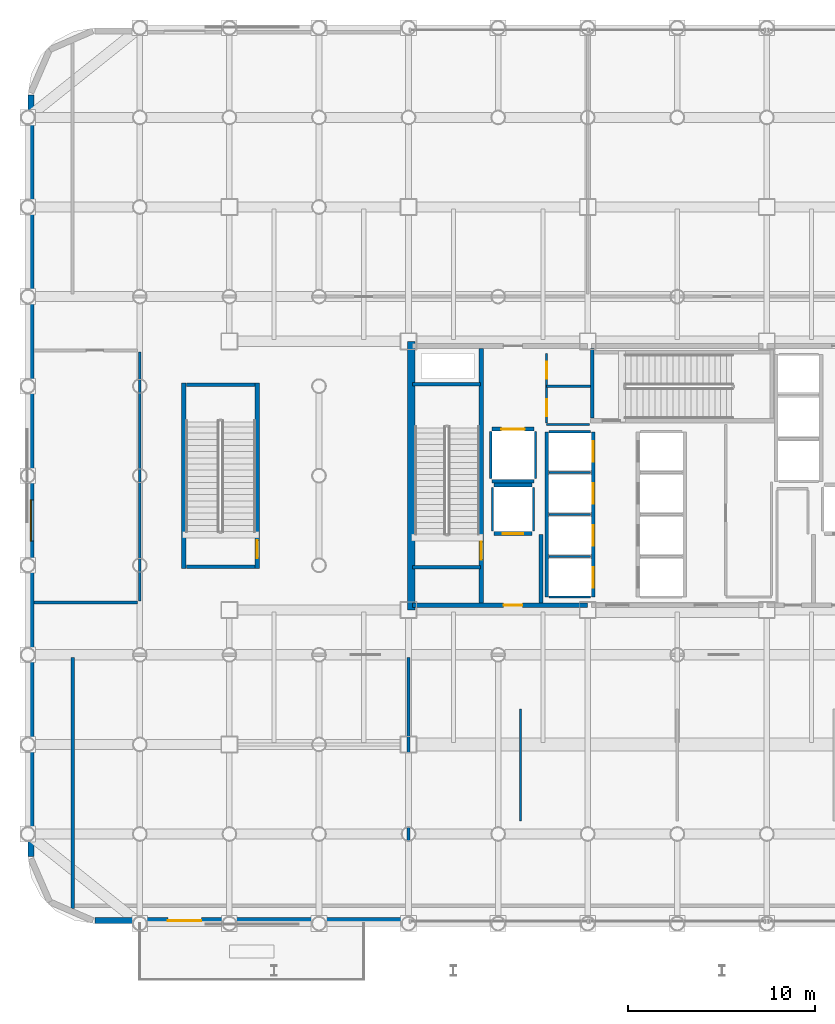
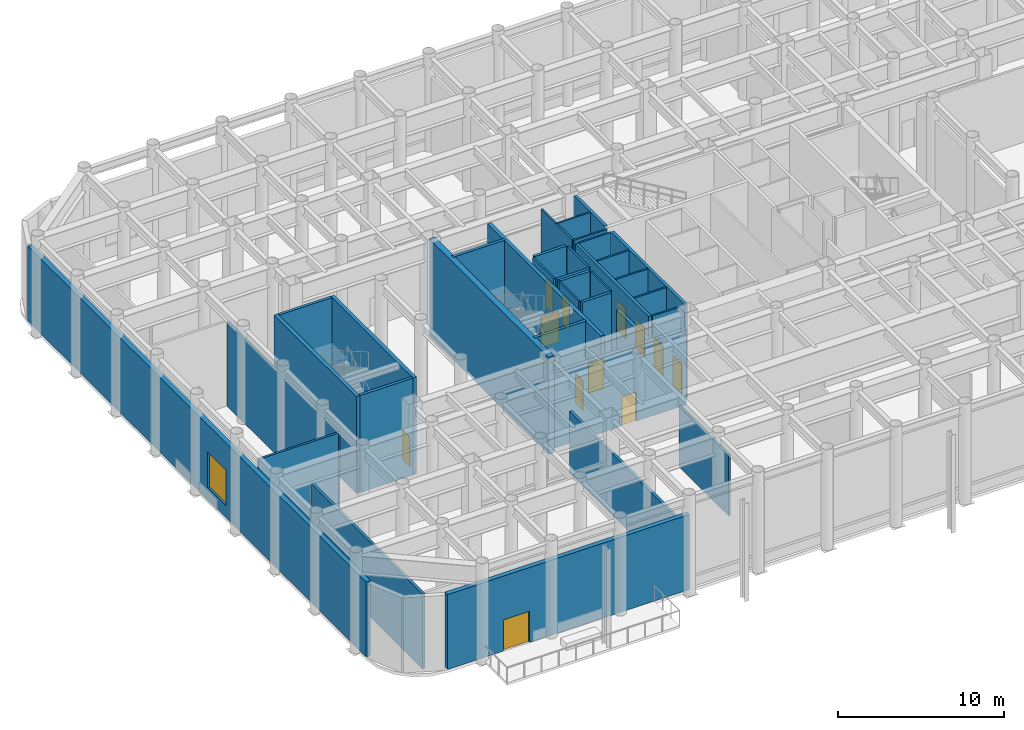
# One storey, part 14 of 23: 36 walls, 12 doors, 1 window, 13 openings.
"""IFC4 building model written with IfcOpenShell, lengths in metres."""

from ifc_helpers import new_model, si_unit, direction, frame, frame_2d, origin, place, context, subcontext, project, spatial, rectangle, extrude, material, layer, layer_set, type_object, element, fill, save


model = new_model("IFC4")

# Units and contexts
model_context = context("Model", 3, precision=1e-05, world=origin(), true_north=direction((0.0, 1.0)))
body_context = subcontext(model_context, "Body", "Model", "MODEL_VIEW")
ifc_project = project(units=[si_unit("LENGTHUNIT", "METRE"), si_unit("AREAUNIT", "SQUARE_METRE"), si_unit("VOLUMEUNIT", "CUBIC_METRE"), si_unit("PLANEANGLEUNIT", "RADIAN"), si_unit("MASSUNIT", "GRAM", prefix="KILO")], contexts=[model_context])

# Site, building, storey
site_placement = place(None, origin())
site = spatial("IfcSite", under=ifc_project, at=site_placement, CompositionType="ELEMENT")
building_placement = place(site_placement, origin())
building = spatial("IfcBuilding", under=site, at=building_placement, Name="Kallvorn Hotel Tower", CompositionType="ELEMENT")
storey_placement = place(building_placement, frame((0.0, 0.0, 12.0)))
storey = spatial("IfcBuildingStorey", under=building, at=storey_placement, Name="L02", CompositionType="ELEMENT", Elevation=12.0)

# Walls
ifc_material_1 = material(Name="Concrete C50/60", Category="concrete")
ifc_layer_1 = layer(ifc_material_1, 0.39990234375)
ifc_layer_set_1 = layer_set([ifc_layer_1], Name="WL_CORE_400")
wall_type_1 = type_object("IfcWallType", Name="WL_CORE_400", PredefinedType="SHEAR", material=ifc_layer_set_1)
wall_1_placement = place(storey_placement, frame((-14.264892578125, -7.199951171875, -0.219970703125), z_axis=(0.0, 0.0, 1.0), x_axis=(0.0, 1.0, 0.0)))
element("IfcWall", 1, at=wall_1_placement, inside=storey, type_object=wall_type_1, Name="L02 Core West Shear Wall", PredefinedType="SHEAR", context=body_context, shape_type="SweptSolid", body=[
    extrude(rectangle(XDim=14.39990234375, YDim=0.39990234375, at=frame_2d((7.199951171875, 0.0))), origin(), (0.0, 0.0, 1.0), 7.139892578125),
])
ifc_material_2 = material(Name="Fire-rated double-layer acoustic gypsum drywall EI 60")
ifc_layer_2 = layer(ifc_material_2, 0.179931640625)
ifc_layer_set_2 = layer_set([ifc_layer_2], Name="WL_CORR_180")
wall_type_2 = type_object("IfcWallType", Name="WL_CORR_180", PredefinedType="PARTITIONING", material=ifc_layer_set_2)
wall_2_placement = place(storey_placement, frame((-32.39990234375, -23.1982421875, 0.0), z_axis=(0.0, 0.0, 1.0), x_axis=(0.0, 1.0, 0.0)))
element("IfcWall", 2, at=wall_2_placement, inside=storey, type_object=wall_type_2, Name="L02 Ballroom Pre-Function Foyer West Partition", PredefinedType="PARTITIONING", context=body_context, shape_type="SweptSolid", body=[
    extrude(rectangle(XDim=13.4482421875, YDim=0.179931640625, at=frame_2d((6.72412109375, 0.0))), origin(), (0.0, 0.0, 1.0), 5.52001953125),
])
wall_3_placement = place(storey_placement, frame((-14.39990234375, -23.7548828125, 0.0), z_axis=(0.0, 0.0, 1.0), x_axis=(0.0, 1.0, 0.0)))
element("IfcWall", 3, at=wall_3_placement, inside=storey, type_object=wall_type_2, Name="L02 Column-Free Grand Ballroom Partition", PredefinedType="PARTITIONING", context=body_context, shape_type="SweptSolid", body=[
    extrude(rectangle(XDim=14.0048828125, YDim=0.179931640625, at=frame_2d((7.00244140625, 0.0))), origin(), (0.0, 0.0, 1.0), 4.52001953125),
])

# Wall, opening, door
ifc_material_3 = material(Name="Precast basalt-clad insulated concrete wall C40/50", Category="masonry")
ifc_layer_3 = layer(ifc_material_3, 0.320068359375)
ifc_layer_set_3 = layer_set([ifc_layer_3], Name="WL_EXT_BAY_320")
wall_type_3 = type_object("IfcWallType", Name="WL_EXT_BAY_320", PredefinedType="SOLIDWALL", material=ifc_layer_set_3)
wall_4_placement = place(storey_placement, frame((-14.35009765625, -23.840087890625, 0.0), z_axis=(0.0, 0.0, 1.0), x_axis=(-1.0, 0.0, 0.0)))
wall_4 = element("IfcWall", 4, at=wall_4_placement, inside=storey, type_object=wall_type_3, Name="L02 Podium Exterior Wall EW-L02-SW", PredefinedType="SOLIDWALL", context=body_context, shape_type="SweptSolid", body=[
    extrude(rectangle(XDim=16.849853515625, YDim=0.320068359375, at=frame_2d((8.4248046875, 0.0))), origin(), (0.0, 0.0, 1.0), 5.52001953125),
])
opening_1_placement = place(wall_4_placement, frame((11.14990234375, 0.0, 0.0)))
opening_1 = element("IfcOpeningElement", 5, at=opening_1_placement, cuts=wall_4, Name="Opening TD1", PredefinedType="OPENING", context=body_context, shape_type="SweptSolid", body=[
    extrude(rectangle(XDim=1.800048828125, YDim=2.300048828125, at=frame_2d((0.89990234375, 1.14990234375))), frame((0.0, 0.175048828125, 0.0), z_axis=(0.0, -1.0, 0.0), x_axis=(1.0, 0.0, 0.0)), (0.0, 0.0, 1.0), 0.35009765625),
])
ifc_material_4 = material(Name="Double-glazed low-e solar-control dark glass", Category="glass")
door_type_1 = type_object("IfcDoorType", Name="DR_TERR_GLZ_1800x2300", OperationType="DOUBLE_DOOR_SINGLE_SWING", PredefinedType="DOOR", material=ifc_material_4)
door_1_placement = place(opening_1_placement, origin())
door_1 = element("IfcDoor", 6, at=door_1_placement, inside=storey, type_object=door_type_1, Name="L02 Terrace Garden Access Door 1", OperationType="DOUBLE_DOOR_SINGLE_SWING", OverallHeight=2.300048828125, OverallWidth=1.800048828125, PredefinedType="DOOR", context=body_context, shape_type="SweptSolid", body=[
    extrude(rectangle(XDim=1.800048828125, YDim=2.300048828125, at=frame_2d((0.89990234375, 1.14990234375))), frame((0.0, 0.02490234375, 0.0), z_axis=(0.0, -1.0, 0.0), x_axis=(1.0, 0.0, 0.0)), (0.0, 0.0, 1.0), 0.050048828125),
])
fill(opening_1, door_1)

# Wall, opening, window
wall_5_placement = place(storey_placement, frame((-34.639892578125, -20.39990234375, 0.0), z_axis=(0.0, 0.0, 1.0), x_axis=(0.0, 1.0, 0.0)))
wall_5 = element("IfcWall", 7, at=wall_5_placement, inside=storey, type_object=wall_type_3, Name="L02 Podium Exterior Wall EW-L02-W", PredefinedType="SOLIDWALL", context=body_context, shape_type="SweptSolid", body=[
    extrude(rectangle(XDim=40.7998046875, YDim=0.320068359375, at=frame_2d((20.39990234375, 0.0))), origin(), (0.0, 0.0, 1.0), 5.52001953125),
])
opening_2_placement = place(wall_5_placement, frame((16.89990234375, 0.0, 0.89990234375)))
opening_2 = element("IfcOpeningElement", 8, at=opening_2_placement, cuts=wall_5, Name="Opening W03", PredefinedType="OPENING", context=body_context, shape_type="SweptSolid", body=[
    extrude(rectangle(XDim=2.199951171875, YDim=2.60009765625, at=frame_2d((1.10009765625, 1.300048828125))), frame((0.0, 0.175048828125, 0.0), z_axis=(0.0, -1.0, 0.0), x_axis=(1.0, 0.0, 0.0)), (0.0, 0.0, 1.0), 0.35009765625),
])
ifc_material_5 = material(Name="Double-glazed low-e solar-control dark glass", Category="glass")
window_type = type_object("IfcWindowType", Name="WN_CASC_2200x2600", PartitioningType="SINGLE_PANEL", PredefinedType="WINDOW", material=ifc_material_5)
window_placement = place(opening_2_placement, origin())
window = element("IfcWindow", 9, at=window_placement, inside=storey, type_object=window_type, Name="L02 Podium Window EW-L02-W", OverallHeight=2.60009765625, OverallWidth=2.199951171875, PartitioningType="SINGLE_PANEL", PredefinedType="WINDOW", context=body_context, shape_type="SweptSolid", body=[
    extrude(rectangle(XDim=2.199951171875, YDim=2.60009765625, at=frame_2d((1.10009765625, 1.300048828125))), frame((0.0, 0.030029296875, 0.0), z_axis=(0.0, -1.0, 0.0), x_axis=(1.0, 0.0, 0.0)), (0.0, 0.0, 1.0), 0.06005859375),
])
fill(opening_2, window)

# Walls
ifc_material_6 = material(Name="Concrete C40/50", Category="concrete")
ifc_layer_4 = layer(ifc_material_6, 0.219970703125)
ifc_layer_set_4 = layer_set([ifc_layer_4], Name="WL_FFL_220")
wall_type_4 = type_object("IfcWallType", Name="WL_FFL_220", PredefinedType="SOLIDWALL", material=ifc_layer_set_4)
wall_6_placement = place(storey_placement, frame((-7.300048828125, -6.820068359375, 0.0), z_axis=(0.0, 0.0, 1.0), x_axis=(0.0, 1.0, 0.0)))
element("IfcWall", 10, at=wall_6_placement, inside=storey, type_object=wall_type_4, Name="L02 Firefighting Lobby West Divider Wall", PredefinedType="SOLIDWALL", context=body_context, shape_type="SweptSolid", body=[
    extrude(rectangle(XDim=3.670166015625, YDim=0.219970703125, at=frame_2d((1.8349609375, 0.0))), origin(), (0.0, 0.0, 1.0), 5.52001953125),
])
ifc_material_7 = material(Name="Concrete C40/50", Category="concrete")
ifc_layer_5 = layer(ifc_material_7, 0.199951171875)
ifc_layer_set_5 = layer_set([ifc_layer_5], Name="WL_HOIST_200")
wall_type_5 = type_object("IfcWallType", Name="WL_HOIST_200", PredefinedType="SOLIDWALL", material=ifc_layer_set_5)
for number, where, z_axis, x_axis, name in (
    (11, (-14.199951171875, -4.89990234375, -0.219970703125), (0.0, 0.0, 1.0), (1.0, 0.0, 0.0), "L02 Stair ST1 South Wall"),
    (12, (-14.199951171875, 4.89990234375, -0.219970703125), (0.0, 0.0, 1.0), (1.0, 0.0, 0.0), "L02 Stair ST1 North Wall"),
):
    element("IfcWall", number, at=place(storey_placement, frame(where, z_axis=z_axis, x_axis=x_axis)), inside=storey, type_object=wall_type_5, Name=name, PredefinedType="SOLIDWALL", context=body_context, shape_type="SweptSolid", body=[
        extrude(rectangle(XDim=3.64990234375, YDim=0.199951171875, at=frame_2d((1.824951171875, 0.0))), origin(), (0.0, 0.0, 1.0), 7.139892578125),
    ])
wall_7_placement = place(storey_placement, frame((-4.550048828125, 3.080078125, -0.219970703125), z_axis=(0.0, 0.0, 1.0), x_axis=(0.0, 1.0, 0.0)))
element("IfcWall", 13, at=wall_7_placement, inside=storey, type_object=wall_type_5, Name="L02 Stair ST3 West Wall", PredefinedType="SOLIDWALL", context=body_context, shape_type="SweptSolid", body=[
    extrude(rectangle(XDim=3.739990234375, YDim=0.199951171875, at=frame_2d((1.8701171875, 0.0))), origin(), (0.0, 0.0, 1.0), 7.139892578125),
])
for number, where, z_axis, x_axis, name in (
    (14, (-26.31005859375, -4.8798828125, -0.219970703125), (0.0, 0.0, 1.0), (1.0, 0.0, 0.0), "L02 Podium Exit Stair ST4 South Wall"),
    (15, (-26.31005859375, 4.8798828125, -0.219970703125), (0.0, 0.0, 1.0), (1.0, 0.0, 0.0), "L02 Podium Exit Stair ST4 North Wall"),
):
    element("IfcWall", number, at=place(storey_placement, frame(where, z_axis=z_axis, x_axis=x_axis)), inside=storey, type_object=wall_type_5, Name=name, PredefinedType="SOLIDWALL", context=body_context, shape_type="SweptSolid", body=[
        extrude(rectangle(XDim=3.68017578125, YDim=0.199951171875, at=frame_2d((1.840087890625, 0.0))), origin(), (0.0, 0.0, 1.0), 7.139892578125),
    ])

# Wall, openings, doors
wall_8_placement = place(storey_placement, frame((-4.5, -6.5, 0.0), z_axis=(0.0, 0.0, 1.0), x_axis=(0.0, 1.0, 0.0)))
wall_8 = element("IfcWall", 16, at=wall_8_placement, inside=storey, type_object=wall_type_5, Name="L02 Lift Bank B1 Landing Wall", PredefinedType="SOLIDWALL", context=body_context, shape_type="SweptSolid", body=[
    extrude(rectangle(XDim=8.85009765625, YDim=0.199951171875, at=frame_2d((4.425048828125, 0.0))), origin(), (0.0, 0.0, 1.0), 6.919921875),
])
opening_3_placement = place(wall_8_placement, frame((0.5, 0.0, 0.0)))
opening_3 = element("IfcOpeningElement", 17, at=opening_3_placement, cuts=wall_8, Name="Opening LD-PL-01", PredefinedType="OPENING", context=body_context, shape_type="SweptSolid", body=[
    extrude(rectangle(XDim=1.10009765625, YDim=2.199951171875, at=frame_2d((0.550048828125, 1.10009765625))), frame((0.0, 0.114990234375, 0.0), z_axis=(0.0, -1.0, 0.0), x_axis=(1.0, 0.0, 0.0)), (0.0, 0.0, 1.0), 0.22998046875),
])
opening_4_placement = place(wall_8_placement, frame((2.75, 0.0, 0.0)))
opening_4 = element("IfcOpeningElement", 18, at=opening_4_placement, cuts=wall_8, Name="Opening LD-PL-02", PredefinedType="OPENING", context=body_context, shape_type="SweptSolid", body=[
    extrude(rectangle(XDim=1.10009765625, YDim=2.199951171875, at=frame_2d((0.550048828125, 1.10009765625))), frame((0.0, 0.114990234375, 0.0), z_axis=(0.0, -1.0, 0.0), x_axis=(1.0, 0.0, 0.0)), (0.0, 0.0, 1.0), 0.22998046875),
])
opening_5_placement = place(wall_8_placement, frame((5.0, 0.0, 0.0)))
opening_5 = element("IfcOpeningElement", 19, at=opening_5_placement, cuts=wall_8, Name="Opening LD-PL-03", PredefinedType="OPENING", context=body_context, shape_type="SweptSolid", body=[
    extrude(rectangle(XDim=1.10009765625, YDim=2.199951171875, at=frame_2d((0.550048828125, 1.10009765625))), frame((0.0, 0.114990234375, 0.0), z_axis=(0.0, -1.0, 0.0), x_axis=(1.0, 0.0, 0.0)), (0.0, 0.0, 1.0), 0.22998046875),
])
opening_6_placement = place(wall_8_placement, frame((7.25, 0.0, 0.0)))
opening_6 = element("IfcOpeningElement", 20, at=opening_6_placement, cuts=wall_8, Name="Opening LD-PL-04", PredefinedType="OPENING", context=body_context, shape_type="SweptSolid", body=[
    extrude(rectangle(XDim=1.10009765625, YDim=2.199951171875, at=frame_2d((0.550048828125, 1.10009765625))), frame((0.0, 0.114990234375, 0.0), z_axis=(0.0, -1.0, 0.0), x_axis=(1.0, 0.0, 0.0)), (0.0, 0.0, 1.0), 0.22998046875),
])
ifc_material_8 = material(Name="Brushed stainless-steel automatic sliding lift landing door", Category="steel")
door_type_2 = type_object("IfcDoorType", Name="LD_PASS_1100x2200", OperationType="SLIDING_TO_LEFT", PredefinedType="DOOR", material=ifc_material_8)
door_2_placement = place(opening_3_placement, origin())
door_2 = element("IfcDoor", 21, at=door_2_placement, inside=storey, type_object=door_type_2, Name="L02 Lift Landing Sliding Door LD-PL-01", OperationType="SLIDING_TO_LEFT", OverallHeight=2.199951171875, OverallWidth=1.10009765625, PredefinedType="DOOR", context=body_context, shape_type="SweptSolid", body=[
    extrude(rectangle(XDim=1.10009765625, YDim=2.199951171875, at=frame_2d((0.550048828125, 1.10009765625))), frame((0.0, 0.02490234375, 0.0), z_axis=(0.0, -1.0, 0.0), x_axis=(1.0, 0.0, 0.0)), (0.0, 0.0, 1.0), 0.050048828125),
])
fill(opening_3, door_2)
door_3_placement = place(opening_4_placement, origin())
door_3 = element("IfcDoor", 22, at=door_3_placement, inside=storey, type_object=door_type_2, Name="L02 Lift Landing Sliding Door LD-PL-02", OperationType="SLIDING_TO_LEFT", OverallHeight=2.199951171875, OverallWidth=1.10009765625, PredefinedType="DOOR", context=body_context, shape_type="SweptSolid", body=[
    extrude(rectangle(XDim=1.10009765625, YDim=2.199951171875, at=frame_2d((0.550048828125, 1.10009765625))), frame((0.0, 0.02490234375, 0.0), z_axis=(0.0, -1.0, 0.0), x_axis=(1.0, 0.0, 0.0)), (0.0, 0.0, 1.0), 0.050048828125),
])
fill(opening_4, door_3)
door_4_placement = place(opening_5_placement, origin())
door_4 = element("IfcDoor", 23, at=door_4_placement, inside=storey, type_object=door_type_2, Name="L02 Lift Landing Sliding Door LD-PL-03", OperationType="SLIDING_TO_LEFT", OverallHeight=2.199951171875, OverallWidth=1.10009765625, PredefinedType="DOOR", context=body_context, shape_type="SweptSolid", body=[
    extrude(rectangle(XDim=1.10009765625, YDim=2.199951171875, at=frame_2d((0.550048828125, 1.10009765625))), frame((0.0, 0.02490234375, 0.0), z_axis=(0.0, -1.0, 0.0), x_axis=(1.0, 0.0, 0.0)), (0.0, 0.0, 1.0), 0.050048828125),
])
fill(opening_5, door_4)
door_5_placement = place(opening_6_placement, origin())
door_5 = element("IfcDoor", 24, at=door_5_placement, inside=storey, type_object=door_type_2, Name="L02 Lift Landing Sliding Door LD-PL-04", OperationType="SLIDING_TO_LEFT", OverallHeight=2.199951171875, OverallWidth=1.10009765625, PredefinedType="DOOR", context=body_context, shape_type="SweptSolid", body=[
    extrude(rectangle(XDim=1.10009765625, YDim=2.199951171875, at=frame_2d((0.550048828125, 1.10009765625))), frame((0.0, 0.02490234375, 0.0), z_axis=(0.0, -1.0, 0.0), x_axis=(1.0, 0.0, 0.0)), (0.0, 0.0, 1.0), 0.050048828125),
])
fill(opening_6, door_5)

# Wall
wall_9_placement = place(storey_placement, frame((-7.0, -6.5, 0.0), z_axis=(0.0, 0.0, 1.0), x_axis=(0.0, 1.0, 0.0)))
element("IfcWall", 25, at=wall_9_placement, inside=storey, type_object=wall_type_5, Name="L02 Lift Bank B1 Rear Shaft Wall", PredefinedType="SOLIDWALL", context=body_context, shape_type="SweptSolid", body=[
    extrude(rectangle(XDim=8.85009765625, YDim=0.199951171875, at=frame_2d((4.425048828125, 0.0))), origin(), (0.0, 0.0, 1.0), 6.919921875),
])

# Wall, opening, door
wall_10_placement = place(storey_placement, frame((-9.820068359375, -3.10009765625, 0.0), z_axis=(0.0, 0.0, 1.0), x_axis=(1.0, 0.0, 0.0)))
wall_10 = element("IfcWall", 26, at=wall_10_placement, inside=storey, type_object=wall_type_5, Name="L02 FL-1 Landing Wall", PredefinedType="SOLIDWALL", context=body_context, shape_type="SweptSolid", body=[
    extrude(rectangle(XDim=2.0400390625, YDim=0.199951171875, at=frame_2d((1.02001953125, 0.0))), origin(), (0.0, 0.0, 1.0), 6.919921875),
])
opening_7_placement = place(wall_10_placement, frame((0.469970703125, 0.0, 0.0)))
opening_7 = element("IfcOpeningElement", 27, at=opening_7_placement, cuts=wall_10, Name="Opening LD-FL-1", PredefinedType="OPENING", context=body_context, shape_type="SweptSolid", body=[
    extrude(rectangle(XDim=1.10009765625, YDim=2.199951171875, at=frame_2d((0.550048828125, 1.10009765625))), frame((0.0, 0.114990234375, 0.0), z_axis=(0.0, -1.0, 0.0), x_axis=(1.0, 0.0, 0.0)), (0.0, 0.0, 1.0), 0.22998046875),
])
door_6_placement = place(opening_7_placement, origin())
door_6 = element("IfcDoor", 28, at=door_6_placement, inside=storey, type_object=door_type_2, Name="L02 Lift Landing Sliding Door LD-FL-1", OperationType="SLIDING_TO_LEFT", OverallHeight=2.199951171875, OverallWidth=1.10009765625, PredefinedType="DOOR", context=body_context, shape_type="SweptSolid", body=[
    extrude(rectangle(XDim=1.10009765625, YDim=2.199951171875, at=frame_2d((0.550048828125, 1.10009765625))), frame((0.0, 0.02490234375, 0.0), z_axis=(0.0, -1.0, 0.0), x_axis=(1.0, 0.0, 0.0)), (0.0, 0.0, 1.0), 0.050048828125),
])
fill(opening_7, door_6)

# Wall
wall_11_placement = place(storey_placement, frame((-9.820068359375, -0.5, 0.0), z_axis=(0.0, 0.0, 1.0), x_axis=(1.0, 0.0, 0.0)))
element("IfcWall", 29, at=wall_11_placement, inside=storey, type_object=wall_type_5, Name="L02 FL-1 Rear Shaft Wall", PredefinedType="SOLIDWALL", context=body_context, shape_type="SweptSolid", body=[
    extrude(rectangle(XDim=2.0400390625, YDim=0.199951171875, at=frame_2d((1.02001953125, 0.0))), origin(), (0.0, 0.0, 1.0), 6.919921875),
])

# Wall, opening, door
wall_12_placement = place(storey_placement, frame((-9.919921875, 2.5, 0.0), z_axis=(0.0, 0.0, 1.0), x_axis=(1.0, 0.0, 0.0)))
wall_12 = element("IfcWall", 30, at=wall_12_placement, inside=storey, type_object=wall_type_5, Name="L02 SV-01 Landing Wall", PredefinedType="SOLIDWALL", context=body_context, shape_type="SweptSolid", body=[
    extrude(rectangle(XDim=2.239990234375, YDim=0.199951171875, at=frame_2d((1.1201171875, 0.0))), origin(), (0.0, 0.0, 1.0), 6.919921875),
])
opening_8_placement = place(wall_12_placement, frame((0.4951171875, 0.0, 0.0)))
opening_8 = element("IfcOpeningElement", 31, at=opening_8_placement, cuts=wall_12, Name="Opening LD-SV-01", PredefinedType="OPENING", context=body_context, shape_type="SweptSolid", body=[
    extrude(rectangle(XDim=1.25, YDim=2.25, at=frame_2d((0.625, 1.125))), frame((0.0, 0.114990234375, 0.0), z_axis=(0.0, -1.0, 0.0), x_axis=(1.0, 0.0, 0.0)), (0.0, 0.0, 1.0), 0.22998046875),
])
ifc_material_9 = material(Name="Brushed stainless-steel automatic sliding lift landing door", Category="steel")
door_type_3 = type_object("IfcDoorType", Name="LD_SERV_1250x2250", OperationType="SLIDING_TO_LEFT", PredefinedType="DOOR", material=ifc_material_9)
door_7_placement = place(opening_8_placement, origin())
door_7 = element("IfcDoor", 32, at=door_7_placement, inside=storey, type_object=door_type_3, Name="L02 Lift Landing Sliding Door LD-SV-01", OperationType="SLIDING_TO_LEFT", OverallHeight=2.25, OverallWidth=1.25, PredefinedType="DOOR", context=body_context, shape_type="SweptSolid", body=[
    extrude(rectangle(XDim=1.25, YDim=2.25, at=frame_2d((0.625, 1.125))), frame((0.0, 0.02490234375, 0.0), z_axis=(0.0, -1.0, 0.0), x_axis=(1.0, 0.0, 0.0)), (0.0, 0.0, 1.0), 0.050048828125),
])
fill(opening_8, door_7)

# Walls
wall_13_placement = place(storey_placement, frame((-9.919921875, -0.300048828125, 0.0), z_axis=(0.0, 0.0, 1.0), x_axis=(1.0, 0.0, 0.0)))
element("IfcWall", 33, at=wall_13_placement, inside=storey, type_object=wall_type_5, Name="L02 SV-01 Rear Shaft Wall", PredefinedType="SOLIDWALL", context=body_context, shape_type="SweptSolid", body=[
    extrude(rectangle(XDim=2.239990234375, YDim=0.199951171875, at=frame_2d((1.1201171875, 0.0))), origin(), (0.0, 0.0, 1.0), 6.919921875),
])
ifc_material_10 = material(Name="Fire-rated double-layer acoustic gypsum drywall EI 60")
ifc_layer_6 = layer(ifc_material_10, 0.1201171875)
ifc_layer_set_6 = layer_set([ifc_layer_6], Name="WL_INT_120")
wall_type_6 = type_object("IfcWallType", Name="WL_INT_120", PredefinedType="PARTITIONING", material=ifc_layer_set_6)
for number, where, z_axis, x_axis, name in (
    (34, (-6.860107421875, -6.5, 0.0), (0.0, 0.0, 1.0), (1.0, 0.0, 0.0), "L02 Lift Bank B1 South Closure Wall"),
    (35, (-6.860107421875, -4.324951171875, 0.0), (0.0, 0.0, 1.0), (1.0, 0.0, 0.0), "L02 PL-01 Hoistway Divider"),
    (36, (-6.860107421875, -2.074951171875, 0.0), (0.0, 0.0, 1.0), (1.0, 0.0, 0.0), "L02 PL-02 Hoistway Divider"),
    (37, (-6.860107421875, 0.175048828125, 0.0), (0.0, 0.0, 1.0), (1.0, 0.0, 0.0), "L02 PL-03 Hoistway Divider"),
    (38, (-6.860107421875, 2.35009765625, 0.0), (0.0, 0.0, 1.0), (1.0, 0.0, 0.0), "L02 PL-04 Hoistway Divider"),
):
    element("IfcWall", number, at=place(storey_placement, frame(where, z_axis=z_axis, x_axis=x_axis)), inside=storey, type_object=wall_type_6, Name=name, PredefinedType="PARTITIONING", context=body_context, shape_type="SweptSolid", body=[
        extrude(rectangle(XDim=2.22021484375, YDim=0.1201171875, at=frame_2d((1.110107421875, 0.0))), origin(), (0.0, 0.0, 1.0), 6.919921875),
    ])
for number, where, z_axis, x_axis, name in (
    (39, (-9.89990234375, -2.9599609375, 0.0), (0.0, 0.0, 1.0), (0.0, 1.0, 0.0), "L02 FL-1 West Shaft Wall"),
    (40, (-7.699951171875, -2.9599609375, 0.0), (0.0, 0.0, 1.0), (0.0, 1.0, 0.0), "L02 FL-1 East Shaft Wall"),
):
    element("IfcWall", number, at=place(storey_placement, frame(where, z_axis=z_axis, x_axis=x_axis)), inside=storey, type_object=wall_type_6, Name=name, PredefinedType="PARTITIONING", context=body_context, shape_type="SweptSolid", body=[
        extrude(rectangle(XDim=2.320068359375, YDim=0.1201171875, at=frame_2d((1.16015625, 0.0))), origin(), (0.0, 0.0, 1.0), 6.919921875),
    ])
for number, where, z_axis, x_axis, name in (
    (41, (-10.0, -0.159912109375, 0.0), (0.0, 0.0, 1.0), (0.0, 1.0, 0.0), "L02 SV-01 West Shaft Wall"),
    (42, (-7.60009765625, -0.159912109375, 0.0), (0.0, 0.0, 1.0), (0.0, 1.0, 0.0), "L02 SV-01 East Shaft Wall"),
):
    element("IfcWall", number, at=place(storey_placement, frame(where, z_axis=z_axis, x_axis=x_axis)), inside=storey, type_object=wall_type_6, Name=name, PredefinedType="PARTITIONING", context=body_context, shape_type="SweptSolid", body=[
        extrude(rectangle(XDim=2.52001953125, YDim=0.1201171875, at=frame_2d((1.260009765625, 0.0))), origin(), (0.0, 0.0, 1.0), 6.919921875),
    ])
wall_14_placement = place(storey_placement, frame((-7.0, 2.75, 0.0), z_axis=(0.0, 0.0, 1.0), x_axis=(1.0, 0.0, 0.0)))
element("IfcWall", 43, at=wall_14_placement, inside=storey, type_object=wall_type_6, Name="L02 Core Ice and Vending Pantry Partition", PredefinedType="PARTITIONING", context=body_context, shape_type="SweptSolid", body=[
    extrude(rectangle(XDim=2.31005859375, YDim=0.1201171875, at=frame_2d((1.155029296875, 0.0))), origin(), (0.0, 0.0, 1.0), 6.919921875),
])
wall_15_placement = place(storey_placement, frame((-7.0, 4.800048828125, 0.0), z_axis=(0.0, 0.0, 1.0), x_axis=(1.0, 0.0, 0.0)))
element("IfcWall", 44, at=wall_15_placement, inside=storey, type_object=wall_type_6, Name="L02 Core Ice and Vending Pantry Partition", PredefinedType="PARTITIONING", context=body_context, shape_type="SweptSolid", body=[
    extrude(rectangle(XDim=2.35009765625, YDim=0.1201171875, at=frame_2d((1.175048828125, 0.0))), origin(), (0.0, 0.0, 1.0), 6.919921875),
])

# Wall, openings, doors
wall_16_placement = place(storey_placement, frame((-7.0, 2.8349609375, 0.0), z_axis=(0.0, 0.0, 1.0), x_axis=(0.0, 1.0, 0.0)))
wall_16 = element("IfcWall", 45, at=wall_16_placement, inside=storey, type_object=wall_type_6, Name="L02 Core Ice and Vending Pantry Partition", PredefinedType="PARTITIONING", context=body_context, shape_type="SweptSolid", body=[
    extrude(rectangle(XDim=3.715087890625, YDim=0.1201171875, at=frame_2d((1.857421875, 0.0))), origin(), (0.0, 0.0, 1.0), 6.919921875),
])
opening_9_placement = place(wall_16_placement, frame((0.364990234375, 0.0, 0.0)))
opening_9 = element("IfcOpeningElement", 46, at=opening_9_placement, cuts=wall_16, Name="Opening SVD1", PredefinedType="OPENING", context=body_context, shape_type="SweptSolid", body=[
    extrude(rectangle(XDim=0.89990234375, YDim=2.10009765625, at=frame_2d((0.449951171875, 1.050048828125))), frame((0.0, 0.074951171875, 0.0), z_axis=(0.0, -1.0, 0.0), x_axis=(1.0, 0.0, 0.0)), (0.0, 0.0, 1.0), 0.150146484375),
])
opening_10_placement = place(wall_16_placement, frame((2.364990234375, 0.0, 0.0)))
opening_10 = element("IfcOpeningElement", 47, at=opening_10_placement, cuts=wall_16, Name="Opening SVD1", PredefinedType="OPENING", context=body_context, shape_type="SweptSolid", body=[
    extrude(rectangle(XDim=0.89990234375, YDim=2.10009765625, at=frame_2d((0.449951171875, 1.050048828125))), frame((0.0, 0.074951171875, 0.0), z_axis=(0.0, -1.0, 0.0), x_axis=(1.0, 0.0, 0.0)), (0.0, 0.0, 1.0), 0.150146484375),
])
ifc_material_11 = material(Name="Galvanised painted steel fire-rated door assembly", Category="steel")
door_type_4 = type_object("IfcDoorType", Name="DR_SERV_900x2100", OperationType="NOTDEFINED", PredefinedType="DOOR", material=ifc_material_11)
door_8_placement = place(opening_9_placement, origin())
door_8 = element("IfcDoor", 48, at=door_8_placement, inside=storey, type_object=door_type_4, Name="L02 Core Ice and Vending Pantry Door", OperationType="SINGLE_SWING_RIGHT", OverallHeight=2.10009765625, OverallWidth=0.89990234375, PredefinedType="DOOR", context=body_context, shape_type="SweptSolid", body=[
    extrude(rectangle(XDim=0.89990234375, YDim=2.10009765625, at=frame_2d((0.449951171875, 1.050048828125))), frame((0.0, 0.02490234375, 0.0), z_axis=(0.0, -1.0, 0.0), x_axis=(1.0, 0.0, 0.0)), (0.0, 0.0, 1.0), 0.050048828125),
])
fill(opening_9, door_8)
door_9_placement = place(opening_10_placement, origin())
door_9 = element("IfcDoor", 49, at=door_9_placement, inside=storey, type_object=door_type_4, Name="L02 Core Linen Supply Closet Door", OperationType="SINGLE_SWING_LEFT", OverallHeight=2.10009765625, OverallWidth=0.89990234375, PredefinedType="DOOR", context=body_context, shape_type="SweptSolid", body=[
    extrude(rectangle(XDim=0.89990234375, YDim=2.10009765625, at=frame_2d((0.449951171875, 1.050048828125))), frame((0.0, 0.02490234375, 0.0), z_axis=(0.0, -1.0, 0.0), x_axis=(1.0, 0.0, 0.0)), (0.0, 0.0, 1.0), 0.050048828125),
])
fill(opening_10, door_9)

# Walls
ifc_material_12 = material(Name="Motorised acoustic operable partition wall STC 54")
ifc_layer_7 = layer(ifc_material_12, 0.1298828125)
ifc_layer_set_7 = layer_set([ifc_layer_7], Name="WL_MOVABLE_130")
wall_type_7 = type_object("IfcWallType", Name="WL_MOVABLE_130", PredefinedType="MOVABLE", material=ifc_layer_set_7)
wall_17_placement = place(storey_placement, frame((-8.39990234375, -18.5, 0.0), z_axis=(0.0, 0.0, 1.0), x_axis=(0.0, 1.0, 0.0)))
element("IfcWall", 50, at=wall_17_placement, inside=storey, type_object=wall_type_7, Name="L02 Acoustic Operable Partition Wall 1", PredefinedType="MOVABLE", context=body_context, shape_type="SweptSolid", body=[
    extrude(rectangle(XDim=6.0, YDim=0.1298828125, at=frame_2d((3.0, 0.0))), origin(), (0.0, 0.0, 1.0), 4.52001953125),
])
ifc_material_13 = material(Name="Fire-rated double-layer acoustic gypsum drywall EI 60")
ifc_layer_8 = layer(ifc_material_13, 0.14990234375)
ifc_layer_set_8 = layer_set([ifc_layer_8], Name="WL_PART_150")
wall_type_8 = type_object("IfcWallType", Name="WL_PART_150", PredefinedType="PARTITIONING", material=ifc_layer_set_8)
wall_18_placement = place(storey_placement, frame((-34.469970703125, -6.800048828125, 0.0), z_axis=(0.0, 0.0, 1.0), x_axis=(1.0, 0.0, 0.0)))
element("IfcWall", 51, at=wall_18_placement, inside=storey, type_object=wall_type_8, Name="L02 West Ballroom Reception Bar Partition", PredefinedType="PARTITIONING", context=body_context, shape_type="SweptSolid", body=[
    extrude(rectangle(XDim=5.550048828125, YDim=0.14990234375, at=frame_2d((2.77490234375, 0.0))), origin(), (0.0, 0.0, 1.0), 6.219970703125),
])
wall_19_placement = place(storey_placement, frame((-28.800048828125, -6.715087890625, 0.0), z_axis=(0.0, 0.0, 1.0), x_axis=(0.0, 1.0, 0.0)))
element("IfcWall", 52, at=wall_19_placement, inside=storey, type_object=wall_type_8, Name="L02 West Ballroom Reception Bar Partition", PredefinedType="PARTITIONING", context=body_context, shape_type="SweptSolid", body=[
    extrude(rectangle(XDim=13.3466796875, YDim=0.14990234375, at=frame_2d((6.67333984375, 0.0))), origin(), (0.0, 0.0, 1.0), 6.219970703125),
])

# Wall, opening, door
ifc_material_14 = material(Name="Concrete C40/50", Category="concrete")
ifc_layer_9 = layer(ifc_material_14, 0.25)
ifc_layer_set_9 = layer_set([ifc_layer_9], Name="WL_SHAFT_250")
wall_type_9 = type_object("IfcWallType", Name="WL_SHAFT_250", PredefinedType="SOLIDWALL", material=ifc_layer_set_9)
wall_20_placement = place(storey_placement, frame((-14.199951171875, -6.949951171875, 0.0), z_axis=(0.0, 0.0, 1.0), x_axis=(1.0, 0.0, 0.0)))
wall_20 = element("IfcWall", 53, at=wall_20_placement, inside=storey, type_object=wall_type_9, Name="L02 Core South-West Wall", PredefinedType="SOLIDWALL", context=body_context, shape_type="SweptSolid", body=[
    extrude(rectangle(XDim=9.39990234375, YDim=0.25, at=frame_2d((4.699951171875, 0.0))), origin(), (0.0, 0.0, 1.0), 5.52001953125),
])
opening_11_placement = place(wall_20_placement, frame((4.89990234375, 0.0, 0.0)))
opening_11 = element("IfcOpeningElement", 54, at=opening_11_placement, cuts=wall_20, Name="Opening FD1", PredefinedType="OPENING", context=body_context, shape_type="SweptSolid", body=[
    extrude(rectangle(XDim=1.0, YDim=2.14990234375, at=frame_2d((0.5, 1.074951171875))), frame((0.0, 0.139892578125, 0.0), z_axis=(0.0, -1.0, 0.0), x_axis=(1.0, 0.0, 0.0)), (0.0, 0.0, 1.0), 0.280029296875),
])
ifc_material_15 = material(Name="Galvanised painted steel fire-rated door assembly", Category="steel")
door_type_5 = type_object("IfcDoorType", Name="DR_FFL_1000x2150", OperationType="NOTDEFINED", PredefinedType="DOOR", material=ifc_material_15)
door_10_placement = place(opening_11_placement, origin())
door_10 = element("IfcDoor", 55, at=door_10_placement, inside=storey, type_object=door_type_5, Name="L02 Firefighting Lobby West Door", OperationType="SINGLE_SWING_RIGHT", OverallHeight=2.14990234375, OverallWidth=1.0, PredefinedType="DOOR", context=body_context, shape_type="SweptSolid", body=[
    extrude(rectangle(XDim=1.0, YDim=2.14990234375, at=frame_2d((0.5, 1.074951171875))), frame((0.0, 0.02490234375, 0.0), z_axis=(0.0, -1.0, 0.0), x_axis=(1.0, 0.0, 0.0)), (0.0, 0.0, 1.0), 0.050048828125),
])
fill(opening_11, door_10)

wall_21_placement = place(storey_placement, frame((-10.5, -6.820068359375, -0.219970703125), z_axis=(0.0, 0.0, 1.0), x_axis=(0.0, 1.0, 0.0)))
wall_21 = element("IfcWall", 56, at=wall_21_placement, inside=storey, type_object=wall_type_9, Name="L02 Stair ST1 Shaft Wall", PredefinedType="SOLIDWALL", context=body_context, shape_type="SweptSolid", body=[
    extrude(rectangle(XDim=13.64013671875, YDim=0.25, at=frame_2d((6.820068359375, 0.0))), origin(), (0.0, 0.0, 1.0), 7.139892578125),
])
opening_12_placement = place(wall_21_placement, frame((2.320068359375, 0.0, 0.219970703125)))
opening_12 = element("IfcOpeningElement", 57, at=opening_12_placement, cuts=wall_21, Name="Opening SD1", PredefinedType="OPENING", context=body_context, shape_type="SweptSolid", body=[
    extrude(rectangle(XDim=0.949951171875, YDim=2.14990234375, at=frame_2d((0.47509765625, 1.074951171875))), frame((0.0, 0.139892578125, 0.0), z_axis=(0.0, -1.0, 0.0), x_axis=(1.0, 0.0, 0.0)), (0.0, 0.0, 1.0), 0.280029296875),
])
ifc_material_16 = material(Name="Galvanised painted steel fire-rated door assembly", Category="steel")
door_type_6 = type_object("IfcDoorType", Name="DR_STAIR_950x2150", OperationType="NOTDEFINED", PredefinedType="DOOR", material=ifc_material_16)
door_11_placement = place(opening_12_placement, origin())
door_11 = element("IfcDoor", 58, at=door_11_placement, inside=storey, type_object=door_type_6, Name="L02 Exit Stair ST1 Fire Door", OperationType="SINGLE_SWING_RIGHT", OverallHeight=2.14990234375, OverallWidth=0.949951171875, PredefinedType="DOOR", context=body_context, shape_type="SweptSolid", body=[
    extrude(rectangle(XDim=0.949951171875, YDim=2.14990234375, at=frame_2d((0.47509765625, 1.074951171875))), frame((0.0, 0.02490234375, 0.0), z_axis=(0.0, -1.0, 0.0), x_axis=(1.0, 0.0, 0.0)), (0.0, 0.0, 1.0), 0.050048828125),
])
fill(opening_12, door_11)

wall_22_placement = place(storey_placement, frame((-22.5, -4.9599609375, -0.219970703125), z_axis=(0.0, 0.0, 1.0), x_axis=(0.0, 1.0, 0.0)))
wall_22 = element("IfcWall", 59, at=wall_22_placement, inside=storey, type_object=wall_type_9, Name="L02 Podium Exit Stair ST4 East Wall", PredefinedType="SOLIDWALL", context=body_context, shape_type="SweptSolid", body=[
    extrude(rectangle(XDim=9.919921875, YDim=0.25, at=frame_2d((4.9599609375, 0.0))), origin(), (0.0, 0.0, 1.0), 7.139892578125),
])
opening_13_placement = place(wall_22_placement, frame((0.550048828125, 0.0, 0.219970703125)))
opening_13 = element("IfcOpeningElement", 60, at=opening_13_placement, cuts=wall_22, Name="Opening SD1", PredefinedType="OPENING", context=body_context, shape_type="SweptSolid", body=[
    extrude(rectangle(XDim=0.949951171875, YDim=2.14990234375, at=frame_2d((0.47509765625, 1.074951171875))), frame((0.0, 0.139892578125, 0.0), z_axis=(0.0, -1.0, 0.0), x_axis=(1.0, 0.0, 0.0)), (0.0, 0.0, 1.0), 0.280029296875),
])
door_12_placement = place(opening_13_placement, origin())
door_12 = element("IfcDoor", 61, at=door_12_placement, inside=storey, type_object=door_type_6, Name="L02 Podium Exit Stair ST4 Fire Door", OperationType="SINGLE_SWING_LEFT", OverallHeight=2.14990234375, OverallWidth=0.949951171875, PredefinedType="DOOR", context=body_context, shape_type="SweptSolid", body=[
    extrude(rectangle(XDim=0.949951171875, YDim=2.14990234375, at=frame_2d((0.47509765625, 1.074951171875))), frame((0.0, 0.02490234375, 0.0), z_axis=(0.0, -1.0, 0.0), x_axis=(1.0, 0.0, 0.0)), (0.0, 0.0, 1.0), 0.050048828125),
])
fill(opening_13, door_12)

# Wall
wall_23_placement = place(storey_placement, frame((-26.43994140625, -4.9599609375, -0.219970703125), z_axis=(0.0, 0.0, 1.0), x_axis=(0.0, 1.0, 0.0)))
element("IfcWall", 62, at=wall_23_placement, inside=storey, type_object=wall_type_9, Name="L02 Podium Exit Stair ST4 West Wall", PredefinedType="SOLIDWALL", context=body_context, shape_type="SweptSolid", body=[
    extrude(rectangle(XDim=9.919921875, YDim=0.25, at=frame_2d((4.9599609375, 0.0))), origin(), (0.0, 0.0, 1.0), 7.139892578125),
])

save(model, "model.ifc")
